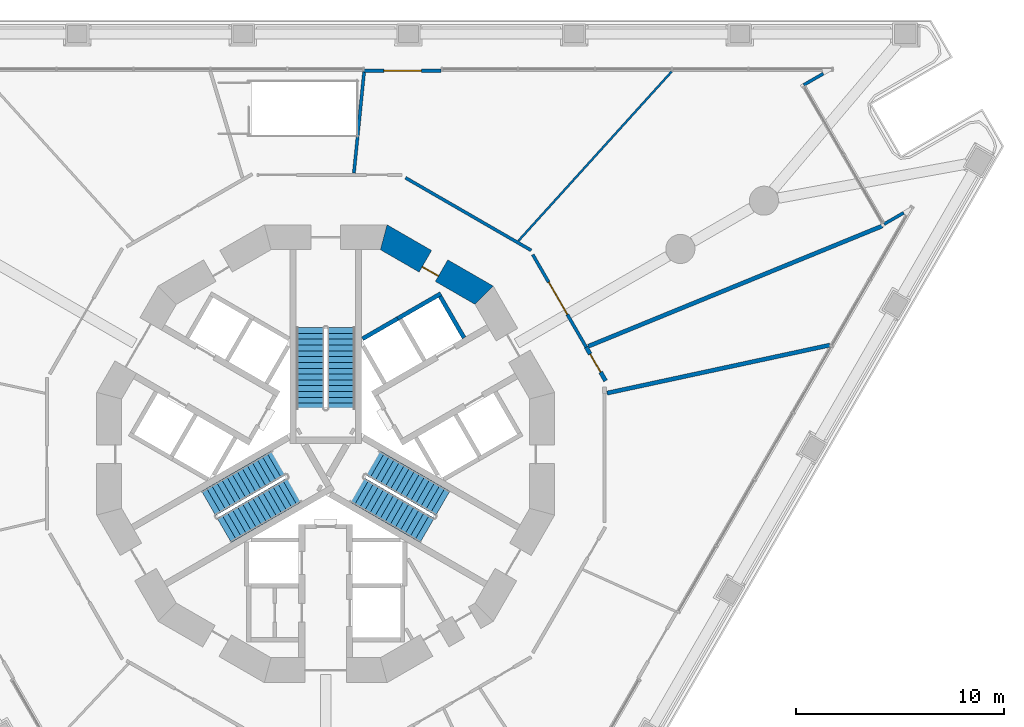
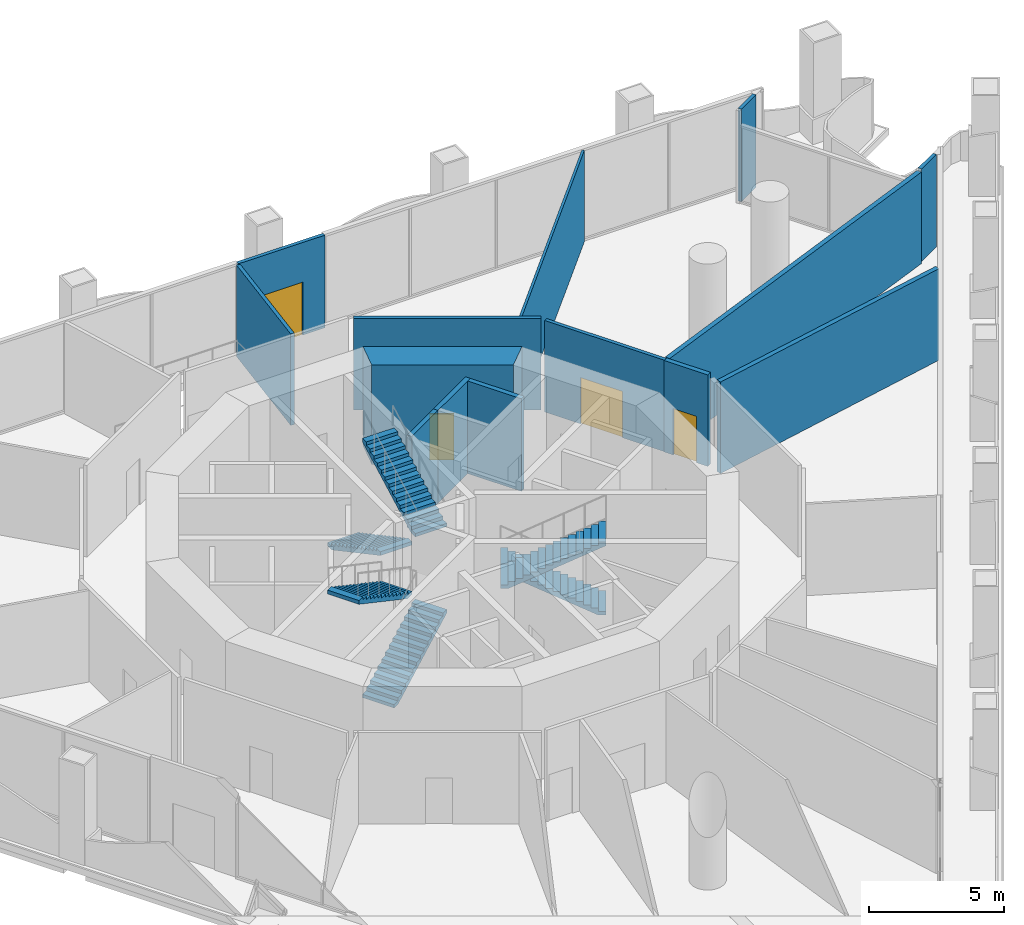
# One storey, part 13 of 21: 14 walls, 6 stair flights, 4 doors, 4 openings, 3 elements without a shape of their own.
"""IFC4 building model written with IfcOpenShell, lengths in metres."""

import ifcopenshell
import ifcopenshell.guid

model = None  # the IFC model being written
_history = None  # IfcOwnerHistory: only IFC2X3 demands one
_inside = {}  # id of a spatial element -> (the spatial element, [elements in it])
_under = {}  # id of a project, library or spatial element -> (it, [spatial elements below it])
_declared = {}  # id of a project -> (the project, [libraries it declares])
_typed = {}  # id of a type object -> (the type object, [elements of that type])
_made_of = {}  # id of a material, layer set ... -> (it, [elements and type objects made of it])


def new_model(schema):
    """Start an empty IFC model of exactly this schema.

    Asked for "IFC4X3", IfcOpenShell would pick the latest addendum, in which some entities
    have other attributes; the version numbers below select the first issue.
    IFC2X3 requires an IfcOwnerHistory on every rooted entity: one is made here for all.
    """
    global model, _history
    if schema == "IFC4X3":
        model = ifcopenshell.file(schema_version=(4, 3, 0, 0))
    else:
        model = ifcopenshell.file(schema=schema)
    _inside.clear()
    _under.clear()
    _declared.clear()
    _typed.clear()
    _made_of.clear()
    _history = None
    if model.schema == "IFC2X3":
        org = make("IfcOrganization", Name="unknown")
        user = make(
            "IfcPersonAndOrganization",
            ThePerson=make("IfcPerson", FamilyName="unknown"),
            TheOrganization=org,
        )
        app = make(
            "IfcApplication",
            ApplicationDeveloper=org,
            Version="unknown",
            ApplicationFullName="unknown",
            ApplicationIdentifier="unknown",
        )
        _history = make(
            "IfcOwnerHistory",
            OwningUser=user,
            OwningApplication=app,
            ChangeAction="ADDED",
            CreationDate=0,
        )
    return model


def make(cls, **values):
    """One entity of the class cls with the attributes given. An attribute that is None is left unset."""
    return model.create_entity(
        cls, **{name: value for name, value in values.items() if value is not None}
    )


def rooted(cls, **values):
    """An entity with a GlobalId (a new one), such as an element, a storey or a relation."""
    return make(cls, GlobalId=ifcopenshell.guid.new(), OwnerHistory=_history, **values)


def si_unit(unit_type, name, prefix=None):
    """IfcSIUnit, for example si_unit("LENGTHUNIT", "METRE", prefix="MILLI")."""
    return make("IfcSIUnit", UnitType=unit_type, Prefix=prefix, Name=name)


def assignment(units):
    """IfcUnitAssignment: the units of a project."""
    return None if units is None else make("IfcUnitAssignment", Units=units)


def point(xyz):
    """IfcCartesianPoint."""
    return None if xyz is None else make("IfcCartesianPoint", Coordinates=xyz)


def direction(xyz):
    """IfcDirection."""
    return None if xyz is None else make("IfcDirection", DirectionRatios=xyz)


def frame(location, z_axis=None, x_axis=None):
    """IfcAxis2Placement3D, a coordinate frame: its origin and axes. An axis left out is left unset."""
    return make(
        "IfcAxis2Placement3D",
        Location=point(location),
        Axis=direction(z_axis),
        RefDirection=direction(x_axis),
    )


def frame_2d(location, x_axis=None):
    """IfcAxis2Placement2D, a coordinate frame in the plane: its origin and x axis."""
    return make(
        "IfcAxis2Placement2D", Location=point(location), RefDirection=direction(x_axis)
    )


def origin():
    """The frame at (0, 0, 0) with its axes left unset."""
    return frame((0.0, 0.0, 0.0))


def place(relative_to, where):
    """IfcLocalPlacement: puts the frame where relative to a parent placement (None: the world)."""
    return make(
        "IfcLocalPlacement", PlacementRelTo=relative_to, RelativePlacement=where
    )


def context(
    kind, dimensions, precision=None, world=None, true_north=None, identifier=None
):
    """IfcGeometricRepresentationContext, for example the 3D "Model" context."""
    return make(
        "IfcGeometricRepresentationContext",
        ContextIdentifier=identifier,
        ContextType=kind,
        CoordinateSpaceDimension=dimensions,
        Precision=precision,
        WorldCoordinateSystem=world,
        TrueNorth=true_north,
    )


def subcontext(parent, identifier, kind, view, scale=None):
    """IfcGeometricRepresentationSubContext, for example "Body" below "Model"."""
    return make(
        "IfcGeometricRepresentationSubContext",
        ContextIdentifier=identifier,
        ContextType=kind,
        ParentContext=parent,
        TargetScale=scale,
        TargetView=view,
    )


def project(units=None, contexts=None):
    """IfcProject with its units and contexts."""
    return rooted(
        "IfcProject",
        Name="project",
        RepresentationContexts=contexts,
        UnitsInContext=assignment(units),
    )


def spatial(cls, under=None, at=None, **own):
    """A site, building, storey or space (cls), placed at a placement, below another one or the project."""
    s = rooted(cls, ObjectPlacement=at, **own)
    if under is not None:
        _under.setdefault(under.id(), (under, []))[1].append(s)
    return s


def polyline(points):
    """IfcPolyline through the points."""
    return make("IfcPolyline", Points=[point(p) for p in points])


def profile(cls, at=None, kind="AREA", **sizes):
    """A parametric profile (cls). Its sizes go by their IFC names, for example OverallWidth=200.0."""
    return make(cls, ProfileType=kind, Position=at, **sizes)


def rectangle(**sizes):
    """IfcRectangleProfileDef."""
    return profile("IfcRectangleProfileDef", **sizes)


def outline(outer, holes=None, kind="AREA"):
    """IfcArbitraryClosedProfileDef: a profile drawn as a closed curve; with holes, ...WithVoids."""
    if holes is None:
        return make("IfcArbitraryClosedProfileDef", ProfileType=kind, OuterCurve=outer)
    return make(
        "IfcArbitraryProfileDefWithVoids",
        ProfileType=kind,
        OuterCurve=outer,
        InnerCurves=holes,
    )


def extrude(swept, where, along, depth):
    """IfcExtrudedAreaSolid: the profile swept, set in the frame where, extruded along a direction by depth."""
    return make(
        "IfcExtrudedAreaSolid",
        SweptArea=swept,
        Position=where,
        ExtrudedDirection=direction(along),
        Depth=depth,
    )


def shape(context_of_items, identifier, shape_type, items):
    """IfcShapeRepresentation: the items that make up one representation, for example the "Body"."""
    return make(
        "IfcShapeRepresentation",
        ContextOfItems=context_of_items,
        RepresentationIdentifier=identifier,
        RepresentationType=shape_type,
        Items=items,
    )


def material(Name=None, Category=None):
    """IfcMaterial."""
    return make("IfcMaterial", Name=Name, Category=Category)


def layer(
    of_material, thickness, ventilated=None, Name=None, Category=None, Priority=None
):
    """IfcMaterialLayer: one layer of a wall or slab, of a material (None: an air gap)."""
    return make(
        "IfcMaterialLayer",
        Material=of_material,
        LayerThickness=thickness,
        IsVentilated=ventilated,
        Name=Name,
        Category=Category,
        Priority=Priority,
    )


def layer_set(layers, Name=None):
    """IfcMaterialLayerSet."""
    return make("IfcMaterialLayerSet", MaterialLayers=layers, LayerSetName=Name)


def made_of(thing, what):
    """Note that an element or type object is made of a material, layer set ...; save() writes the relation."""
    if what is not None:
        _made_of.setdefault(what.id(), (what, []))[1].append(thing)
    return thing


def type_object(cls, material=None, **own):
    """A type object (cls), such as IfcWallType, which elements share."""
    return made_of(rooted(cls, **own), material)


def element(
    cls,
    number,
    at=None,
    inside=None,
    cuts=None,
    type_object=None,
    material=None,
    context=None,
    identifier="Body",
    shape_type=None,
    held_by="IfcProductDefinitionShape",
    body=None,
    shapes=None,
    **own,
):
    """One element of the class cls, such as IfcWall. Its Tag is "e" and its number.

    at: its placement. inside: the storey or other place that contains it. cuts: it is an
    opening in that element (IfcRelVoidsElement). A single representation is given by context,
    identifier, shape_type and body (its items); several are given by shapes. held_by: the class
    of the entity that holds the representations. save() writes the other relations.
    """
    e = rooted(cls, Tag="e%d" % number, ObjectPlacement=at, **own)
    if body is not None:
        shapes = [shape(context, identifier, shape_type, body)]
    if shapes is not None:
        e.Representation = make(held_by, Representations=shapes)
    if inside is not None:
        _inside.setdefault(inside.id(), (inside, []))[1].append(e)
    if cuts is not None:
        rooted(
            "IfcRelVoidsElement", RelatingBuildingElement=cuts, RelatedOpeningElement=e
        )
    if type_object is not None:
        _typed.setdefault(type_object.id(), (type_object, []))[1].append(e)
    return made_of(e, material)


def fill(opening, filler):
    """IfcRelFillsElement: the door or window that sits in an opening."""
    return rooted(
        "IfcRelFillsElement",
        RelatingOpeningElement=opening,
        RelatedBuildingElement=filler,
    )


def aggregate(whole, parts):
    """IfcRelAggregates: a whole, such as a stair, and the parts it consists of."""
    return rooted("IfcRelAggregates", RelatingObject=whole, RelatedObjects=parts)


def save(model, path):
    """Write the relations noted so far, then the file.

    IfcRelAggregates (storeys below a building ...), IfcRelContainedInSpatialStructure (elements
    in a storey), IfcRelDefinesByType, IfcRelAssociatesMaterial and IfcRelDeclares: one each for
    every whole, place, type object, material and project.
    """
    for whole, parts in _under.values():
        aggregate(whole, parts)
    for where, things in _inside.values():
        rooted(
            "IfcRelContainedInSpatialStructure",
            RelatedElements=things,
            RelatingStructure=where,
        )
    for kind, things in _typed.values():
        rooted("IfcRelDefinesByType", RelatedObjects=things, RelatingType=kind)
    for what, things in _made_of.values():
        rooted("IfcRelAssociatesMaterial", RelatedObjects=things, RelatingMaterial=what)
    for by, libraries in _declared.values():
        rooted("IfcRelDeclares", RelatingContext=by, RelatedDefinitions=libraries)
    model.write(path)


model = new_model("IFC4")

# Units and contexts
model_context = context("Model", 3, precision=1e-05, world=origin(), true_north=direction((0.0, 1.0)))
body_context = subcontext(model_context, "Body", "Model", "MODEL_VIEW")
ifc_project = project(units=[si_unit("LENGTHUNIT", "METRE"), si_unit("AREAUNIT", "SQUARE_METRE"), si_unit("VOLUMEUNIT", "CUBIC_METRE"), si_unit("PLANEANGLEUNIT", "RADIAN"), si_unit("MASSUNIT", "GRAM", prefix="KILO")], contexts=[model_context])

# Site, building, storey
site_placement = place(None, origin())
site = spatial("IfcSite", under=ifc_project, at=site_placement, CompositionType="ELEMENT")
building_placement = place(site_placement, origin())
building = spatial("IfcBuilding", under=site, at=building_placement, Name="Trine Commons Tower", CompositionType="ELEMENT")
storey_placement = place(building_placement, frame((0.0, 0.0, 27.0)))
storey = spatial("IfcBuildingStorey", under=building, at=storey_placement, Name="L05", CompositionType="ELEMENT", Elevation=27.0)

# Walls
ifc_material_1 = material(Name="Plasterboard on steel stud", Category="steel")
ifc_layer_1 = layer(ifc_material_1, 0.14990234375)
ifc_layer_set_1 = layer_set([ifc_layer_1], Name="Plasterboard on steel stud")
wall_type_1 = type_object("IfcWallType", Name="Compartment wall 150 mm, EI 60", PredefinedType="PARTITIONING", material=ifc_layer_set_1)
wall_1_placement = place(storey_placement, frame((81.357177734375, 75.994140625, 0.0), z_axis=(0.0, 0.0, 1.0), x_axis=(0.100088945379, 0.994978493744, 0.0)))
element("IfcWall", 1, at=wall_1_placement, inside=storey, type_object=wall_type_1, Name="Partition P5016", PredefinedType="PARTITIONING", context=body_context, shape_type="SweptSolid", body=[
    extrude(rectangle(XDim=4.9150390625, YDim=0.14990234375, at=frame_2d((2.45751953125, 0.0))), origin(), (0.0, 0.0, 1.0), 4.14990234375),
])
wall_2_placement = place(storey_placement, frame((83.8359375, 75.771484375, 0.0), z_axis=(0.0, 0.0, 1.0), x_axis=(0.866037689721, -0.49997871953, 0.0)))
element("IfcWall", 2, at=wall_2_placement, inside=storey, type_object=wall_type_1, Name="Partition P5019", PredefinedType="PARTITIONING", context=body_context, shape_type="SweptSolid", body=[
    extrude(rectangle(XDim=6.982177734375, YDim=0.14990234375, at=frame_2d((3.4912109375, 0.0))), origin(), (0.0, 0.0, 1.0), 4.14990234375),
])

# Wall, opening, door
wall_3_placement = place(storey_placement, frame((92.527099609375, 67.62548828125, 0.0), z_axis=(0.0, 0.0, 1.0), x_axis=(-0.499987051625, 0.866032879403, 0.0)))
wall_3 = element("IfcWall", 3, at=wall_3_placement, inside=storey, type_object=wall_type_1, Name="Partition P5028", PredefinedType="PARTITIONING", context=body_context, shape_type="SweptSolid", body=[
    extrude(rectangle(XDim=5.138427734375, YDim=0.14990234375, at=frame_2d((2.5693359375, 0.0))), origin(), (0.0, 0.0, 1.0), 4.14990234375),
])
opening_1_placement = place(wall_3_placement, frame((1.80908203125, 0.0, 0.0)))
opening_1 = element("IfcOpeningElement", 4, at=opening_1_placement, cuts=wall_3, Name="Opening D-P515", PredefinedType="OPENING", context=body_context, shape_type="SweptSolid", body=[
    extrude(rectangle(XDim=1.800048828125, YDim=2.10009765625, at=frame_2d((0.89990234375, 1.050048828125))), frame((0.0, 0.0849609375, 0.0), z_axis=(0.0, -1.0, 0.0), x_axis=(1.0, 0.0, 0.0)), (0.0, 0.0, 1.0), 0.169921875),
])
ifc_material_2 = material(Name="Timber fire door set", Category="wood")
door_type_1 = type_object("IfcDoorType", Name="Double swing door 1800x2100, FD30S", OperationType="DOUBLE_DOOR_DOUBLE_SWING", PredefinedType="DOOR", material=ifc_material_2)
door_1_placement = place(opening_1_placement, origin())
door_1 = element("IfcDoor", 5, at=door_1_placement, inside=storey, type_object=door_type_1, Name="Door D-P515", OperationType="DOUBLE_DOOR_DOUBLE_SWING", OverallHeight=2.10009765625, OverallWidth=1.800048828125, PredefinedType="DOOR", context=body_context, shape_type="SweptSolid", body=[
    extrude(rectangle(XDim=1.800048828125, YDim=2.10009765625, at=frame_2d((0.89990234375, 1.050048828125))), frame((0.0, 0.02490234375, 0.0), z_axis=(0.0, -1.0, 0.0), x_axis=(1.0, 0.0, 0.0)), (0.0, 0.0, 1.0), 0.050048828125),
])
fill(opening_1, door_1)

ifc_layer_2 = layer(ifc_material_1, 0.199951171875)
ifc_layer_set_2 = layer_set([ifc_layer_2], Name="Plasterboard on steel stud")
wall_type_2 = type_object("IfcWallType", Name="Fire wall 200 mm, EI 120", PredefinedType="PARTITIONING", material=ifc_layer_set_2)
wall_4_placement = place(storey_placement, frame((92.52685546875, 67.6259765625, 0.0), z_axis=(0.0, 0.0, 1.0), x_axis=(0.50005782403, -0.865992016491, 0.0)))
wall_4 = element("IfcWall", 6, at=wall_4_placement, inside=storey, type_object=wall_type_2, Name="Partition P5030", PredefinedType="PARTITIONING", context=body_context, shape_type="SweptSolid", body=[
    extrude(rectangle(XDim=1.869384765625, YDim=0.199951171875, at=frame_2d((0.9345703125, 0.0))), origin(), (0.0, 0.0, 1.0), 4.14990234375),
])
opening_2_placement = place(wall_4_placement, frame((0.384765625, 0.0, 0.0)))
opening_2 = element("IfcOpeningElement", 7, at=opening_2_placement, cuts=wall_4, Name="Opening D-P516", PredefinedType="OPENING", context=body_context, shape_type="SweptSolid", body=[
    extrude(rectangle(XDim=1.0, YDim=2.10009765625, at=frame_2d((0.5, 1.050048828125))), frame((0.0, 0.10986328125, 0.0), z_axis=(0.0, -1.0, 0.0), x_axis=(1.0, 0.0, 0.0)), (0.0, 0.0, 1.0), 0.219970703125),
])
door_type_2 = type_object("IfcDoorType", Name="Single swing door 1000x2100, FD60", OperationType="SINGLE_SWING_LEFT", PredefinedType="DOOR", material=ifc_material_2)
door_2_placement = place(opening_2_placement, origin())
door_2 = element("IfcDoor", 8, at=door_2_placement, inside=storey, type_object=door_type_2, Name="Door D-P516", OperationType="SINGLE_SWING_LEFT", OverallHeight=2.10009765625, OverallWidth=1.0, PredefinedType="DOOR", context=body_context, shape_type="SweptSolid", body=[
    extrude(rectangle(XDim=1.0, YDim=2.10009765625, at=frame_2d((0.5, 1.050048828125))), frame((0.0, 0.02490234375, 0.0), z_axis=(0.0, -1.0, 0.0), x_axis=(1.0, 0.0, 0.0)), (0.0, 0.0, 1.0), 0.050048828125),
])
fill(opening_2, door_2)

# Walls
wall_5_placement = place(storey_placement, frame((92.633056640625, 67.669189453125, 0.0), z_axis=(0.0, 0.0, 1.0), x_axis=(0.92552074523, 0.378696910668, 0.0)))
element("IfcWall", 9, at=wall_5_placement, inside=storey, type_object=wall_type_2, Name="Partition P5031", PredefinedType="PARTITIONING", context=body_context, shape_type="SweptSolid", body=[
    extrude(rectangle(XDim=15.28369140625, YDim=0.199951171875, at=frame_2d((7.641845703125, 0.0))), origin(), (0.0, 0.0, 1.0), 4.14990234375),
])
wall_6_placement = place(storey_placement, frame((93.53271484375, 65.415283203125, 0.0), z_axis=(0.0, 0.0, 1.0), x_axis=(0.977571619622, 0.210603249047, 0.0)))
element("IfcWall", 10, at=wall_6_placement, inside=storey, type_object=wall_type_2, Name="Partition P5034", PredefinedType="PARTITIONING", context=body_context, shape_type="SweptSolid", body=[
    extrude(rectangle(XDim=10.957275390625, YDim=0.199951171875, at=frame_2d((5.478515625, 0.0))), origin(), (0.0, 0.0, 1.0), 4.14990234375),
])

# Wall, opening, door
ifc_material_3 = material(Name="Aluminium-framed insulated wall panel", Category="aluminium")
ifc_layer_3 = layer(ifc_material_3, 0.14990234375)
ifc_layer_set_3 = layer_set([ifc_layer_3], Name="Aluminium-framed insulated wall panel")
wall_type_3 = type_object("IfcWallType", Name="Glazed entrance wall 150, EI 60", PredefinedType="SOLIDWALL", material=ifc_layer_set_3)
wall_7_placement = place(storey_placement, frame((81.84912109375, 80.919677734375, 0.0), z_axis=(0.0, 0.0, 1.0), x_axis=(1.0, 0.0, 0.0)))
wall_7 = element("IfcWall", 11, at=wall_7_placement, inside=storey, type_object=wall_type_3, Name="Glazed entrance wall L05 F1 8", PredefinedType="SOLIDWALL", context=body_context, shape_type="SweptSolid", body=[
    extrude(rectangle(XDim=3.698974609375, YDim=0.14990234375, at=frame_2d((1.849609375, 0.0))), origin(), (0.0, 0.0, 1.0), 4.199951171875),
])
opening_3_placement = place(wall_7_placement, frame((0.949462890625, 0.0, 0.0)))
opening_3 = element("IfcOpeningElement", 12, at=opening_3_placement, cuts=wall_7, Name="Opening SD-L05-F1-08", PredefinedType="OPENING", context=body_context, shape_type="SweptSolid", body=[
    extrude(rectangle(XDim=1.800048828125, YDim=2.39990234375, at=frame_2d((0.89990234375, 1.199951171875))), frame((0.0, 0.0849609375, 0.0), z_axis=(0.0, -1.0, 0.0), x_axis=(1.0, 0.0, 0.0)), (0.0, 0.0, 1.0), 0.169921875),
])
ifc_material_4 = material(Name="Anodised aluminium frame with double glazing", Category="aluminium")
door_type_3 = type_object("IfcDoorType", Name="Sliding double door 1800x2400", OperationType="DOUBLE_DOOR_SLIDING", PredefinedType="DOOR", material=ifc_material_4)
door_3_placement = place(opening_3_placement, origin())
door_3 = element("IfcDoor", 13, at=door_3_placement, inside=storey, type_object=door_type_3, Name="Loggia door L05 F1 8", OperationType="DOUBLE_DOOR_SLIDING", OverallHeight=2.39990234375, OverallWidth=1.800048828125, PredefinedType="DOOR", context=body_context, shape_type="SweptSolid", body=[
    extrude(rectangle(XDim=1.800048828125, YDim=2.39990234375, at=frame_2d((0.89990234375, 1.199951171875))), frame((0.0, 0.02490234375, 0.0), z_axis=(0.0, -1.0, 0.0), x_axis=(1.0, 0.0, 0.0)), (0.0, 0.0, 1.0), 0.050048828125),
])
fill(opening_3, door_3)

# Walls
ifc_layer_4 = layer(ifc_material_3, 0.14990234375)
ifc_layer_set_4 = layer_set([ifc_layer_4], Name="Aluminium-framed insulated wall panel")
wall_type_4 = type_object("IfcWallType", Name="Glazed frame wall 150, EI 60", PredefinedType="SOLIDWALL", material=ifc_layer_set_4)
wall_8_placement = place(storey_placement, frame((104.060546875, 80.854248046875, 0.0), z_axis=(0.0, 0.0, 1.0), x_axis=(-0.86606770004, -0.49992673358, 0.0)))
element("IfcWall", 14, at=wall_8_placement, inside=storey, type_object=wall_type_4, Name="Glazed frame wall L05 R5", PredefinedType="SOLIDWALL", context=body_context, shape_type="SweptSolid", body=[
    extrude(outline(polyline([(0.1494140625, 0.074951171875), (0.1494140625, -0.074951171875), (1.235107421875, -0.074951171875), (1.235107421875, 0.074951171875), (0.1494140625, 0.074951171875)])), origin(), (0.0, 0.0, 1.0), 4.199951171875),
])
wall_9_placement = place(storey_placement, frame((106.7607421875, 73.4873046875, 0.0), z_axis=(0.0, 0.0, 1.0), x_axis=(0.865989100438, 0.500062873969, 0.0)))
element("IfcWall", 15, at=wall_9_placement, inside=storey, type_object=wall_type_4, Name="Glazed frame wall L05 R7", PredefinedType="SOLIDWALL", context=body_context, shape_type="SweptSolid", body=[
    extrude(outline(polyline([(0.110107421875, 0.074951171875), (0.110107421875, -0.074951171875), (1.19580078125, -0.074951171875), (1.19580078125, 0.074951171875), (0.110107421875, 0.074951171875)])), origin(), (0.0, 0.0, 1.0), 4.199951171875),
])
ifc_layer_5 = layer(ifc_material_1, 0.10009765625)
ifc_layer_set_5 = layer_set([ifc_layer_5], Name="Plasterboard on steel stud")
wall_type_5 = type_object("IfcWallType", Name="Partition wall 100 mm stud, not rated", PredefinedType="PARTITIONING", material=ifc_layer_set_5)
wall_10_placement = place(storey_placement, frame((89.2666015625, 72.735107421875, 0.0), z_axis=(0.0, 0.0, 1.0), x_axis=(0.671158105227, 0.741314236871, 0.0)))
element("IfcWall", 16, at=wall_10_placement, inside=storey, type_object=wall_type_5, Name="Partition P5026", PredefinedType="PARTITIONING", context=body_context, shape_type="SweptSolid", body=[
    extrude(rectangle(XDim=10.9931640625, YDim=0.10009765625, at=frame_2d((5.49658203125, 0.0))), origin(), (0.0, 0.0, 1.0), 4.14990234375),
])

# Wall, opening, door
ifc_material_5 = material(Name="Concrete C80/95", Category="concrete")
ifc_layer_6 = layer(ifc_material_5, 1.199951171875)
ifc_layer_set_6 = layer_set([ifc_layer_6], Name="Concrete C80/95")
wall_type_6 = type_object("IfcWallType", Name="RC shear wall 1200 mm, C80/95", PredefinedType="SHEAR", material=ifc_layer_set_6)
wall_11_placement = place(storey_placement, frame((87.760986328125, 70.04150390625, 0.0), z_axis=(0.0, 0.0, 1.0), x_axis=(-0.866037463336, 0.499979111662, 0.0)))
wall_11 = element("IfcWall", 17, at=wall_11_placement, inside=storey, type_object=wall_type_6, Name="Core wall CWA-03 L05", PredefinedType="SHEAR", context=body_context, shape_type="SweptSolid", body=[
    extrude(outline(polyline([(0.0, -0.60009765625), (5.901123046875, -0.60009765625), (5.57958984375, 0.60009765625), (0.321533203125, 0.60009765625), (0.0, -0.60009765625)])), origin(), (0.0, 0.0, 1.0), 4.5),
])
opening_4_placement = place(wall_11_placement, frame((2.526611328125, 0.0, 0.0)))
opening_4 = element("IfcOpeningElement", 18, at=opening_4_placement, cuts=wall_11, Name="Opening K04.12", PredefinedType="OPENING", context=body_context, shape_type="SweptSolid", body=[
    extrude(rectangle(XDim=0.89990234375, YDim=2.10009765625, at=frame_2d((0.449951171875, 1.050048828125))), frame((0.0, 0.60986328125, 0.0), z_axis=(0.0, -1.0, 0.0), x_axis=(1.0, 0.0, 0.0)), (0.0, 0.0, 1.0), 1.219970703125),
])
ifc_material_6 = material(Name="Steel door leaf, fire-rated", Category="steel")
door_type_4 = type_object("IfcDoorType", Name="Core room door, single leaf 900 x 2100, FD30S", OperationType="SINGLE_SWING_LEFT", PredefinedType="DOOR", material=ifc_material_6)
door_4_placement = place(opening_4_placement, origin())
door_4 = element("IfcDoor", 19, at=door_4_placement, inside=storey, type_object=door_type_4, Name="Door to Linen store L05", OperationType="SINGLE_SWING_RIGHT", OverallHeight=2.10009765625, OverallWidth=0.89990234375, PredefinedType="DOOR", context=body_context, shape_type="SweptSolid", body=[
    extrude(rectangle(XDim=0.89990234375, YDim=2.10009765625, at=frame_2d((0.449951171875, 1.050048828125))), frame((0.0, 0.3251953125, 0.0), z_axis=(0.0, -1.0, 0.0), x_axis=(1.0, 0.0, 0.0)), (0.0, 0.0, 1.0), 0.050048828125),
])
fill(opening_4, door_4)

# Walls
ifc_material_7 = material(Name="Fire-rated gypsum shaft wall system")
ifc_layer_7 = layer(ifc_material_7, 0.199951171875)
ifc_layer_set_7 = layer_set([ifc_layer_7], Name="Fire-rated gypsum shaft wall system")
wall_type_7 = type_object("IfcWallType", Name="Shaft wall 200 mm, EI 120", PredefinedType="PARTITIONING", material=ifc_layer_set_7)
wall_12_placement = place(storey_placement, frame((81.77490234375, 68.028076171875, 0.0), z_axis=(0.0, 0.0, 1.0), x_axis=(0.866052014814, 0.499953905513, 0.0)))
element("IfcWall", 20, at=wall_12_placement, inside=storey, type_object=wall_type_7, Name="Shaft wall L05", PredefinedType="PARTITIONING", context=body_context, shape_type="SweptSolid", body=[
    extrude(rectangle(XDim=1.947998046875, YDim=0.199951171875, at=frame_2d((0.97412109375, 0.0))), origin(), (0.0, 0.0, 1.0), 4.199951171875),
])
wall_13_placement = place(storey_placement, frame((83.4619140625, 69.001953125, 0.0), z_axis=(0.0, 0.0, 1.0), x_axis=(0.866202511239, 0.499693115345, 0.0)))
element("IfcWall", 21, at=wall_13_placement, inside=storey, type_object=wall_type_7, Name="Shaft wall L05", PredefinedType="PARTITIONING", context=body_context, shape_type="SweptSolid", body=[
    extrude(rectangle(XDim=2.4013671875, YDim=0.199951171875, at=frame_2d((1.20068359375, 0.0))), origin(), (0.0, 0.0, 1.0), 4.199951171875),
])
wall_14_placement = place(storey_placement, frame((86.655029296875, 68.073974609375, 0.0), z_axis=(0.0, 0.0, 1.0), x_axis=(-0.500215680983, 0.865900844496, 0.0)))
element("IfcWall", 22, at=wall_14_placement, inside=storey, type_object=wall_type_7, Name="Shaft wall L05", PredefinedType="PARTITIONING", context=body_context, shape_type="SweptSolid", body=[
    extrude(rectangle(XDim=2.29931640625, YDim=0.199951171875, at=frame_2d((1.149658203125, 0.0))), origin(), (0.0, 0.0, 1.0), 4.199951171875),
])

# Stair, stair flights
ifc_material_8 = material(Name="Concrete C50/60", Category="concrete")
stair_type = type_object("IfcStairType", Name="Exit stair, dog-leg, 30 risers of 150 mm", PredefinedType="HALF_TURN_STAIR", material=ifc_material_8)
stair_1_placement = place(storey_placement, origin())
stair_1 = element("IfcStair", 23, at=stair_1_placement, inside=storey, type_object=stair_type, Name="L05 Exit stair ST1A", PredefinedType="HALF_TURN_STAIR")
stair_flight_type = type_object("IfcStairFlightType", Name="Stair flight, 1350 wide, 15 risers of 150 mm", PredefinedType="STRAIGHT", material=ifc_material_8)
stair_flight_1_placement = place(storey_placement, frame((79.25, 68.570556640625, 0.0), z_axis=(0.0, 0.0, 1.0), x_axis=(0.0, -1.0, 0.0)))
stair_flight_1 = element("IfcStairFlight", 24, at=stair_flight_1_placement, type_object=stair_flight_type, Name="ST1A flight 1", NumberOfRisers=15, NumberOfTreads=14, PredefinedType="STRAIGHT", RiserHeight=0.15, TreadLength=0.28, context=body_context, shape_type="SweptSolid", body=[
    extrude(outline(polyline([(0.0, 0.0), (0.0, 0.14990234375), (0.280029296875, 0.14990234375), (0.280029296875, 0.300048828125), (0.56005859375, 0.300048828125), (0.56005859375, 0.449951171875), (0.840087890625, 0.449951171875), (0.840087890625, 0.60009765625), (1.1201171875, 0.60009765625), (1.1201171875, 0.75), (1.39990234375, 0.75), (1.39990234375, 0.89990234375), (1.679931640625, 0.89990234375), (1.679931640625, 1.050048828125), (1.9599609375, 1.050048828125), (1.9599609375, 1.199951171875), (2.239990234375, 1.199951171875), (2.239990234375, 1.35009765625), (2.52001953125, 1.35009765625), (2.52001953125, 1.5), (2.800048828125, 1.5), (2.800048828125, 1.64990234375), (3.080078125, 1.64990234375), (3.080078125, 1.800048828125), (3.360107421875, 1.800048828125), (3.360107421875, 1.949951171875), (3.639892578125, 1.949951171875), (3.639892578125, 2.10009765625), (3.919921875, 2.10009765625), (3.919921875, 2.25), (3.919921875, 1.929931640625), (0.3173828125, 0.0), (0.0, 0.0)])), frame((0.0, 0.675048828125, 0.0), z_axis=(0.0, -1.0, 0.0), x_axis=(1.0, 0.0, 0.0)), (0.0, 0.0, 1.0), 1.35009765625),
])
stair_flight_2_placement = place(storey_placement, frame((80.75, 64.650634765625, 2.25), z_axis=(0.0, 0.0, 1.0), x_axis=(0.0, 1.0, 0.0)))
stair_flight_2 = element("IfcStairFlight", 25, at=stair_flight_2_placement, type_object=stair_flight_type, Name="ST1A flight 2", NumberOfRisers=15, NumberOfTreads=14, PredefinedType="STRAIGHT", RiserHeight=0.15, TreadLength=0.28, context=body_context, shape_type="SweptSolid", body=[
    extrude(outline(polyline([(0.0, 0.0), (0.0, 0.14990234375), (0.280029296875, 0.14990234375), (0.280029296875, 0.300048828125), (0.56005859375, 0.300048828125), (0.56005859375, 0.449951171875), (0.840087890625, 0.449951171875), (0.840087890625, 0.60009765625), (1.1201171875, 0.60009765625), (1.1201171875, 0.75), (1.39990234375, 0.75), (1.39990234375, 0.89990234375), (1.679931640625, 0.89990234375), (1.679931640625, 1.050048828125), (1.9599609375, 1.050048828125), (1.9599609375, 1.199951171875), (2.239990234375, 1.199951171875), (2.239990234375, 1.35009765625), (2.52001953125, 1.35009765625), (2.52001953125, 1.5), (2.800048828125, 1.5), (2.800048828125, 1.64990234375), (3.080078125, 1.64990234375), (3.080078125, 1.800048828125), (3.360107421875, 1.800048828125), (3.360107421875, 1.949951171875), (3.639892578125, 1.949951171875), (3.639892578125, 2.10009765625), (3.919921875, 2.10009765625), (3.919921875, 2.25), (3.919921875, 1.929931640625), (0.3173828125, 0.0), (0.0, 0.0)])), frame((0.0, 0.675048828125, 0.0), z_axis=(0.0, -1.0, 0.0), x_axis=(1.0, 0.0, 0.0)), (0.0, 0.0, 1.0), 1.35009765625),
])
aggregate(stair_1, [stair_flight_1, stair_flight_2])

stair_2_placement = place(storey_placement, origin())
stair_2 = element("IfcStair", 26, at=stair_2_placement, inside=storey, type_object=stair_type, Name="L05 Exit stair ST2A", PredefinedType="HALF_TURN_STAIR")
stair_flight_3_placement = place(storey_placement, frame((75.11767578125, 58.815185546875, 0.0), z_axis=(0.0, 0.0, 1.0), x_axis=(0.866025403784, 0.5, 0.0)))
stair_flight_3 = element("IfcStairFlight", 27, at=stair_flight_3_placement, type_object=stair_flight_type, Name="ST2A flight 1", NumberOfRisers=15, NumberOfTreads=14, PredefinedType="STRAIGHT", RiserHeight=0.15, TreadLength=0.28, context=body_context, shape_type="SweptSolid", body=[
    extrude(outline(polyline([(0.0, 0.0), (0.0, 0.14990234375), (0.280029296875, 0.14990234375), (0.280029296875, 0.300048828125), (0.56005859375, 0.300048828125), (0.56005859375, 0.449951171875), (0.840087890625, 0.449951171875), (0.840087890625, 0.60009765625), (1.1201171875, 0.60009765625), (1.1201171875, 0.75), (1.39990234375, 0.75), (1.39990234375, 0.89990234375), (1.679931640625, 0.89990234375), (1.679931640625, 1.050048828125), (1.9599609375, 1.050048828125), (1.9599609375, 1.199951171875), (2.239990234375, 1.199951171875), (2.239990234375, 1.35009765625), (2.52001953125, 1.35009765625), (2.52001953125, 1.5), (2.800048828125, 1.5), (2.800048828125, 1.64990234375), (3.080078125, 1.64990234375), (3.080078125, 1.800048828125), (3.360107421875, 1.800048828125), (3.360107421875, 1.949951171875), (3.639892578125, 1.949951171875), (3.639892578125, 2.10009765625), (3.919921875, 2.10009765625), (3.919921875, 2.25), (3.919921875, 1.929931640625), (0.3173828125, 0.0), (0.0, 0.0)])), frame((0.0, 0.675048828125, 0.0), z_axis=(0.0, -1.0, 0.0), x_axis=(1.0, 0.0, 0.0)), (0.0, 0.0, 1.0), 1.35009765625),
])
stair_flight_4_placement = place(storey_placement, frame((77.762451171875, 62.07421875, 2.25), z_axis=(0.0, 0.0, 1.0), x_axis=(-0.866025403784, -0.5, 0.0)))
stair_flight_4 = element("IfcStairFlight", 28, at=stair_flight_4_placement, type_object=stair_flight_type, Name="ST2A flight 2", NumberOfRisers=15, NumberOfTreads=14, PredefinedType="STRAIGHT", RiserHeight=0.15, TreadLength=0.28, context=body_context, shape_type="SweptSolid", body=[
    extrude(outline(polyline([(0.0, 0.0), (0.0, 0.14990234375), (0.280029296875, 0.14990234375), (0.280029296875, 0.300048828125), (0.56005859375, 0.300048828125), (0.56005859375, 0.449951171875), (0.840087890625, 0.449951171875), (0.840087890625, 0.60009765625), (1.1201171875, 0.60009765625), (1.1201171875, 0.75), (1.39990234375, 0.75), (1.39990234375, 0.89990234375), (1.679931640625, 0.89990234375), (1.679931640625, 1.050048828125), (1.9599609375, 1.050048828125), (1.9599609375, 1.199951171875), (2.239990234375, 1.199951171875), (2.239990234375, 1.35009765625), (2.52001953125, 1.35009765625), (2.52001953125, 1.5), (2.800048828125, 1.5), (2.800048828125, 1.64990234375), (3.080078125, 1.64990234375), (3.080078125, 1.800048828125), (3.360107421875, 1.800048828125), (3.360107421875, 1.949951171875), (3.639892578125, 1.949951171875), (3.639892578125, 2.10009765625), (3.919921875, 2.10009765625), (3.919921875, 2.25), (3.919921875, 1.929931640625), (0.3173828125, 0.0), (0.0, 0.0)])), frame((0.0, 0.675048828125, 0.0), z_axis=(0.0, -1.0, 0.0), x_axis=(1.0, 0.0, 0.0)), (0.0, 0.0, 1.0), 1.35009765625),
])
aggregate(stair_2, [stair_flight_3, stair_flight_4])

stair_3_placement = place(storey_placement, origin())
stair_3 = element("IfcStair", 29, at=stair_3_placement, inside=storey, type_object=stair_type, Name="L05 Exit stair ST3A", PredefinedType="HALF_TURN_STAIR")
stair_flight_5_placement = place(storey_placement, frame((85.63232421875, 60.1142578125, 0.0), z_axis=(0.0, 0.0, 1.0), x_axis=(-0.866025403784, 0.5, 0.0)))
stair_flight_5 = element("IfcStairFlight", 30, at=stair_flight_5_placement, type_object=stair_flight_type, Name="ST3A flight 1", NumberOfRisers=15, NumberOfTreads=14, PredefinedType="STRAIGHT", RiserHeight=0.15, TreadLength=0.28, context=body_context, shape_type="SweptSolid", body=[
    extrude(outline(polyline([(0.0, 0.0), (0.0, 0.14990234375), (0.280029296875, 0.14990234375), (0.280029296875, 0.300048828125), (0.56005859375, 0.300048828125), (0.56005859375, 0.449951171875), (0.840087890625, 0.449951171875), (0.840087890625, 0.60009765625), (1.1201171875, 0.60009765625), (1.1201171875, 0.75), (1.39990234375, 0.75), (1.39990234375, 0.89990234375), (1.679931640625, 0.89990234375), (1.679931640625, 1.050048828125), (1.9599609375, 1.050048828125), (1.9599609375, 1.199951171875), (2.239990234375, 1.199951171875), (2.239990234375, 1.35009765625), (2.52001953125, 1.35009765625), (2.52001953125, 1.5), (2.800048828125, 1.5), (2.800048828125, 1.64990234375), (3.080078125, 1.64990234375), (3.080078125, 1.800048828125), (3.360107421875, 1.800048828125), (3.360107421875, 1.949951171875), (3.639892578125, 1.949951171875), (3.639892578125, 2.10009765625), (3.919921875, 2.10009765625), (3.919921875, 2.25), (3.919921875, 1.929931640625), (0.3173828125, 0.0), (0.0, 0.0)])), frame((0.0, 0.675048828125, 0.0), z_axis=(0.0, -1.0, 0.0), x_axis=(1.0, 0.0, 0.0)), (0.0, 0.0, 1.0), 1.35009765625),
])
stair_flight_6_placement = place(storey_placement, frame((81.487548828125, 60.775146484375, 2.25), z_axis=(0.0, 0.0, 1.0), x_axis=(0.866025403784, -0.5, 0.0)))
stair_flight_6 = element("IfcStairFlight", 31, at=stair_flight_6_placement, type_object=stair_flight_type, Name="ST3A flight 2", NumberOfRisers=15, NumberOfTreads=14, PredefinedType="STRAIGHT", RiserHeight=0.15, TreadLength=0.28, context=body_context, shape_type="SweptSolid", body=[
    extrude(outline(polyline([(0.0, 0.0), (0.0, 0.14990234375), (0.280029296875, 0.14990234375), (0.280029296875, 0.300048828125), (0.56005859375, 0.300048828125), (0.56005859375, 0.449951171875), (0.840087890625, 0.449951171875), (0.840087890625, 0.60009765625), (1.1201171875, 0.60009765625), (1.1201171875, 0.75), (1.39990234375, 0.75), (1.39990234375, 0.89990234375), (1.679931640625, 0.89990234375), (1.679931640625, 1.050048828125), (1.9599609375, 1.050048828125), (1.9599609375, 1.199951171875), (2.239990234375, 1.199951171875), (2.239990234375, 1.35009765625), (2.52001953125, 1.35009765625), (2.52001953125, 1.5), (2.800048828125, 1.5), (2.800048828125, 1.64990234375), (3.080078125, 1.64990234375), (3.080078125, 1.800048828125), (3.360107421875, 1.800048828125), (3.360107421875, 1.949951171875), (3.639892578125, 1.949951171875), (3.639892578125, 2.10009765625), (3.919921875, 2.10009765625), (3.919921875, 2.25), (3.919921875, 1.929931640625), (0.3173828125, 0.0), (0.0, 0.0)])), frame((0.0, 0.675048828125, 0.0), z_axis=(0.0, -1.0, 0.0), x_axis=(1.0, 0.0, 0.0)), (0.0, 0.0, 1.0), 1.35009765625),
])
aggregate(stair_3, [stair_flight_5, stair_flight_6])

save(model, "model.ifc")
